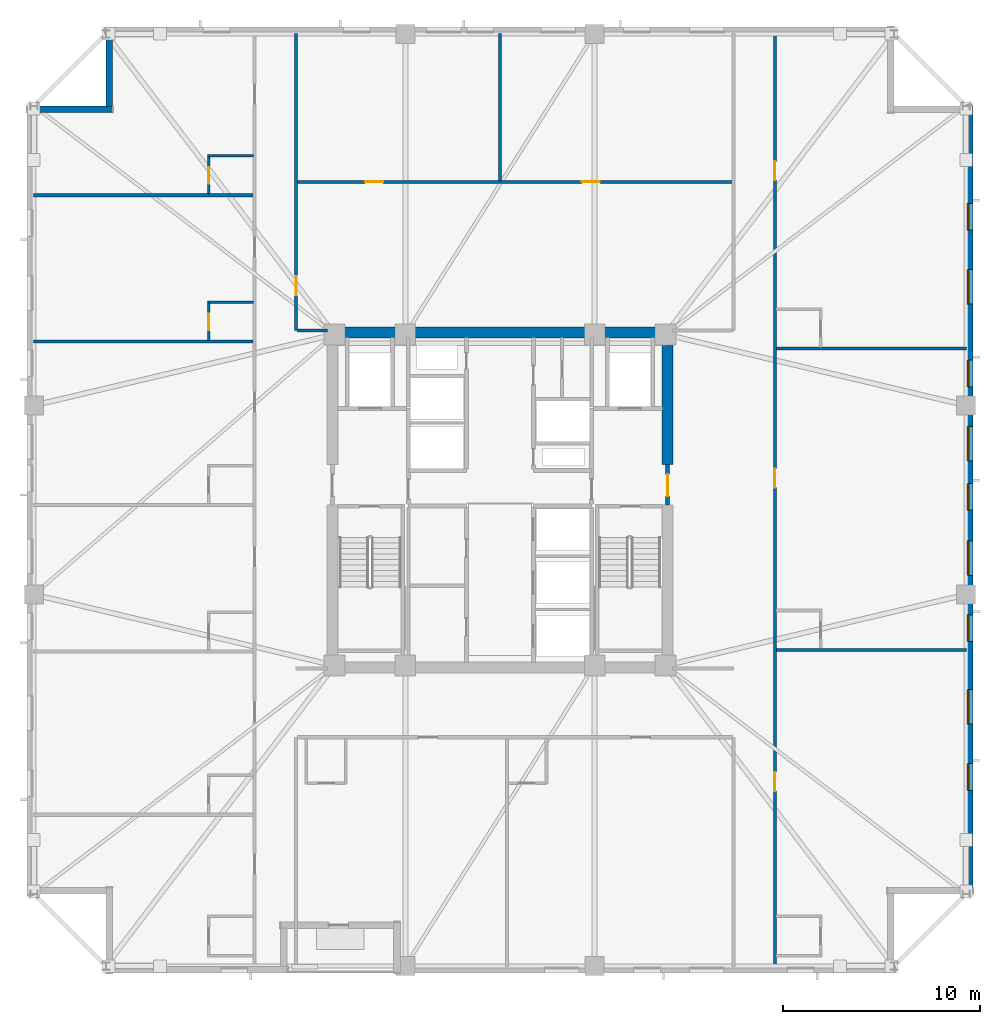
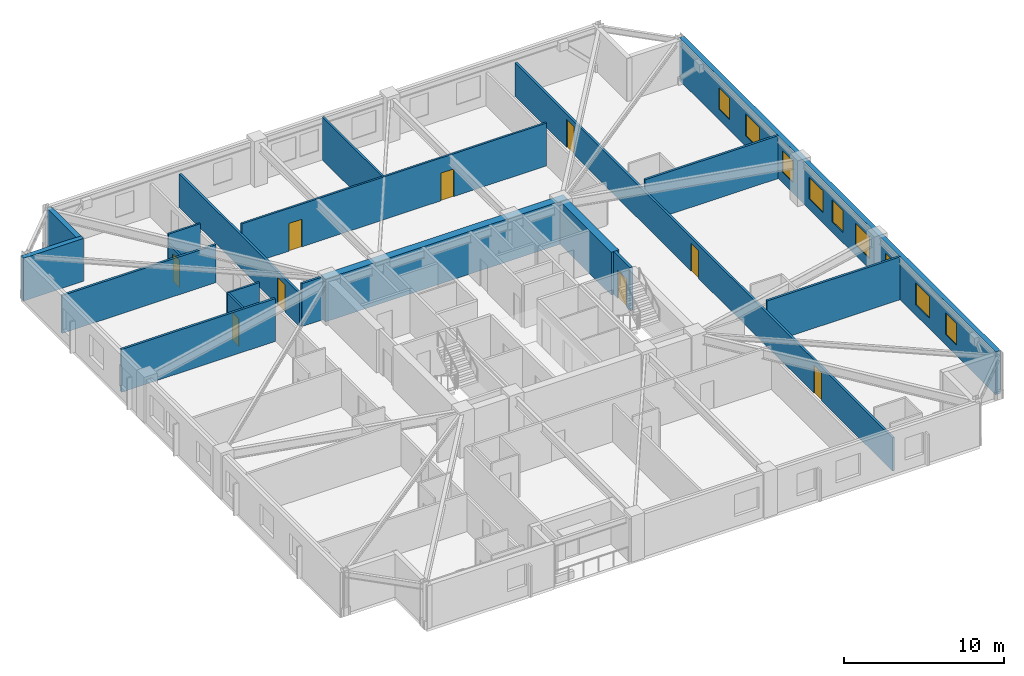
# One storey, part 5 of 11: 19 walls, 9 doors, 9 windows, 18 openings.
"""IFC4 building model written with IfcOpenShell, lengths in metres."""

from ifc_helpers import new_model, si_unit, direction, frame, frame_2d, origin, place, context, subcontext, project, spatial, rectangle, extrude, material, layer, layer_set, type_object, element, fill, save


model = new_model("IFC4")

# Units and contexts
model_context = context("Model", 3, precision=1e-05, world=origin(), true_north=direction((0.0, 1.0)))
body_context = subcontext(model_context, "Body", "Model", "MODEL_VIEW")
ifc_project = project(units=[si_unit("LENGTHUNIT", "METRE"), si_unit("AREAUNIT", "SQUARE_METRE"), si_unit("VOLUMEUNIT", "CUBIC_METRE"), si_unit("PLANEANGLEUNIT", "RADIAN"), si_unit("MASSUNIT", "GRAM", prefix="KILO")], contexts=[model_context])

# Site, building, storey
site_placement = place(None, origin())
site = spatial("IfcSite", under=ifc_project, at=site_placement, CompositionType="ELEMENT")
building_placement = place(site_placement, origin())
building = spatial("IfcBuilding", under=site, at=building_placement, Name="Cairnveth Concourse Tower", CompositionType="ELEMENT")
storey_placement = place(building_placement, frame((0.0, 0.0, 148.0)))
storey = spatial("IfcBuildingStorey", under=building, at=storey_placement, Name="L40", CompositionType="ELEMENT", Elevation=148.0)

# Wall, opening, door
ifc_material_1 = material(Name="Gypsum Plasterboard Partition", Category="gypsum")
ifc_layer_1 = layer(ifc_material_1, 0.159912109375)
ifc_layer_set_1 = layer_set([ifc_layer_1], Name="Gypsum Plasterboard Partition")
wall_type_1 = type_object("IfcWallType", Name="ACOUSTIC PARTY WALL 180", PredefinedType="PARTITIONING", material=ifc_layer_set_1)
wall_1_placement = place(storey_placement, frame((41.64990234375, 47.60009765625, 0.0), z_axis=(0.0, 0.0, 1.0), x_axis=(0.0, 1.0, 0.0)))
wall_1 = element("IfcWall", 1, at=wall_1_placement, inside=storey, type_object=wall_type_1, Name="Interior Wall IW-L40-039", PredefinedType="PARTITIONING", context=body_context, shape_type="SweptSolid", body=[
    extrude(rectangle(XDim=15.074951171875, YDim=0.159912109375, at=frame_2d((7.53759765625, 0.0))), origin(), (0.0, 0.0, 1.0), 2.554931640625),
])
opening_1_placement = place(wall_1_placement, frame((1.800048828125, 0.0, 0.0)))
opening_1 = element("IfcOpeningElement", 2, at=opening_1_placement, cuts=wall_1, Name="Opening ID11", PredefinedType="OPENING", context=body_context, shape_type="SweptSolid", body=[
    extrude(rectangle(XDim=0.9599609375, YDim=2.1201171875, at=frame_2d((0.47998046875, 1.06005859375))), frame((0.0, 0.08984375, 0.0), z_axis=(0.0, -1.0, 0.0), x_axis=(1.0, 0.0, 0.0)), (0.0, 0.0, 1.0), 0.179931640625),
])
ifc_material_2 = material(Name="Solid Core Hardwood Timber Leaf", Category="wood")
door_type_1 = type_object("IfcDoorType", Name="INTERIOR SINGLE DOOR 960X2150", OperationType="NOTDEFINED", PredefinedType="DOOR", material=ifc_material_2)
door_1_placement = place(opening_1_placement, origin())
door_1 = element("IfcDoor", 3, at=door_1_placement, inside=storey, type_object=door_type_1, Name="Interior Door DR-L40-016", OperationType="SINGLE_SWING_RIGHT", OverallHeight=2.1201171875, OverallWidth=0.9599609375, PredefinedType="DOOR", context=body_context, shape_type="SweptSolid", body=[
    extrude(rectangle(XDim=0.9599609375, YDim=2.1201171875, at=frame_2d((0.47998046875, 1.06005859375))), frame((0.0, 0.02490234375, 0.0), z_axis=(0.0, -1.0, 0.0), x_axis=(1.0, 0.0, 0.0)), (0.0, 0.0, 1.0), 0.050048828125),
])
fill(opening_1, door_1)

# Wall
wall_2_placement = place(storey_placement, frame((41.715087890625, 47.60009765625, 0.0), z_axis=(0.0, 0.0, 1.0), x_axis=(1.0, 0.0, 0.0)))
element("IfcWall", 4, at=wall_2_placement, inside=storey, type_object=wall_type_1, Name="Interior Wall IW-L40-041", PredefinedType="PARTITIONING", context=body_context, shape_type="SweptSolid", body=[
    extrude(rectangle(XDim=1.52001953125, YDim=0.159912109375, at=frame_2d((0.760009765625, 0.0))), origin(), (0.0, 0.0, 1.0), 3.280029296875),
])

# Wall, openings, doors
wall_3_placement = place(storey_placement, frame((65.949951171875, 15.324951171875, 0.0), z_axis=(0.0, 0.0, 1.0), x_axis=(0.0, 1.0, 0.0)))
wall_3 = element("IfcWall", 5, at=wall_3_placement, inside=storey, type_object=wall_type_1, Name="Interior Wall IW-L40-042", PredefinedType="PARTITIONING", context=body_context, shape_type="SweptSolid", body=[
    extrude(rectangle(XDim=47.35009765625, YDim=0.159912109375, at=frame_2d((23.675048828125, 0.0))), origin(), (0.0, 0.0, 1.0), 2.554931640625),
])
opening_2_placement = place(wall_3_placement, frame((8.901611328125, 0.0, 0.0)))
opening_2 = element("IfcOpeningElement", 6, at=opening_2_placement, cuts=wall_3, Name="Opening ID09", PredefinedType="OPENING", context=body_context, shape_type="SweptSolid", body=[
    extrude(rectangle(XDim=0.9599609375, YDim=2.14990234375, at=frame_2d((0.47998046875, 1.074951171875))), frame((0.0, 0.08984375, 0.0), z_axis=(0.0, -1.0, 0.0), x_axis=(1.0, 0.0, 0.0)), (0.0, 0.0, 1.0), 0.179931640625),
])
opening_3_placement = place(wall_3_placement, frame((24.30908203125, 0.0, 0.0)))
opening_3 = element("IfcOpeningElement", 7, at=opening_3_placement, cuts=wall_3, Name="Opening ID09", PredefinedType="OPENING", context=body_context, shape_type="SweptSolid", body=[
    extrude(rectangle(XDim=0.9599609375, YDim=2.14990234375, at=frame_2d((0.47998046875, 1.074951171875))), frame((0.0, 0.08984375, 0.0), z_axis=(0.0, -1.0, 0.0), x_axis=(1.0, 0.0, 0.0)), (0.0, 0.0, 1.0), 0.179931640625),
])
opening_4_placement = place(wall_3_placement, frame((39.90234375, 0.0, 0.0)))
opening_4 = element("IfcOpeningElement", 8, at=opening_4_placement, cuts=wall_3, Name="Opening ID09", PredefinedType="OPENING", context=body_context, shape_type="SweptSolid", body=[
    extrude(rectangle(XDim=0.9599609375, YDim=2.14990234375, at=frame_2d((0.47998046875, 1.074951171875))), frame((0.0, 0.08984375, 0.0), z_axis=(0.0, -1.0, 0.0), x_axis=(1.0, 0.0, 0.0)), (0.0, 0.0, 1.0), 0.179931640625),
])
door_type_2 = type_object("IfcDoorType", Name="HOTEL ENTRANCE DOOR 960X2150", OperationType="NOTDEFINED", PredefinedType="DOOR", material=ifc_material_2)
door_2_placement = place(opening_2_placement, origin())
door_2 = element("IfcDoor", 9, at=door_2_placement, inside=storey, type_object=door_type_2, Name="Hotel Room Door L40-E1", OperationType="SINGLE_SWING_RIGHT", OverallHeight=2.14990234375, OverallWidth=0.9599609375, PredefinedType="DOOR", context=body_context, shape_type="SweptSolid", body=[
    extrude(rectangle(XDim=0.9599609375, YDim=2.14990234375, at=frame_2d((0.47998046875, 1.074951171875))), frame((0.0, 0.02490234375, 0.0), z_axis=(0.0, -1.0, 0.0), x_axis=(1.0, 0.0, 0.0)), (0.0, 0.0, 1.0), 0.050048828125),
])
fill(opening_2, door_2)
door_3_placement = place(opening_3_placement, origin())
door_3 = element("IfcDoor", 10, at=door_3_placement, inside=storey, type_object=door_type_2, Name="Hotel Room Door L40-E2", OperationType="SINGLE_SWING_RIGHT", OverallHeight=2.14990234375, OverallWidth=0.9599609375, PredefinedType="DOOR", context=body_context, shape_type="SweptSolid", body=[
    extrude(rectangle(XDim=0.9599609375, YDim=2.14990234375, at=frame_2d((0.47998046875, 1.074951171875))), frame((0.0, 0.02490234375, 0.0), z_axis=(0.0, -1.0, 0.0), x_axis=(1.0, 0.0, 0.0)), (0.0, 0.0, 1.0), 0.050048828125),
])
fill(opening_3, door_3)
door_4_placement = place(opening_4_placement, origin())
door_4 = element("IfcDoor", 11, at=door_4_placement, inside=storey, type_object=door_type_2, Name="Hotel Room Door L40-E3", OperationType="SINGLE_SWING_RIGHT", OverallHeight=2.14990234375, OverallWidth=0.9599609375, PredefinedType="DOOR", context=body_context, shape_type="SweptSolid", body=[
    extrude(rectangle(XDim=0.9599609375, YDim=2.14990234375, at=frame_2d((0.47998046875, 1.074951171875))), frame((0.0, 0.02490234375, 0.0), z_axis=(0.0, -1.0, 0.0), x_axis=(1.0, 0.0, 0.0)), (0.0, 0.0, 1.0), 0.050048828125),
])
fill(opening_4, door_4)

# Walls
wall_4_placement = place(storey_placement, frame((28.324951171875, 47.035400390625, 0.0), z_axis=(0.0, 0.0, 1.0), x_axis=(1.0, 0.0, 0.0)))
element("IfcWall", 12, at=wall_4_placement, inside=storey, type_object=wall_type_1, Name="Interior Wall IW-L40-068", PredefinedType="PARTITIONING", context=body_context, shape_type="SweptSolid", body=[
    extrude(rectangle(XDim=11.14501953125, YDim=0.159912109375, at=frame_2d((5.572509765625, 0.0))), origin(), (0.0, 0.0, 1.0), 3.280029296875),
])
wall_5_placement = place(storey_placement, frame((28.324951171875, 54.466552734375, 0.0), z_axis=(0.0, 0.0, 1.0), x_axis=(1.0, 0.0, 0.0)))
element("IfcWall", 13, at=wall_5_placement, inside=storey, type_object=wall_type_1, Name="Interior Wall IW-L40-071", PredefinedType="PARTITIONING", context=body_context, shape_type="SweptSolid", body=[
    extrude(rectangle(XDim=11.14501953125, YDim=0.159912109375, at=frame_2d((5.572509765625, 0.0))), origin(), (0.0, 0.0, 1.0), 2.89599609375),
])
for number, where, z_axis, x_axis, name in (
    (14, (66.030029296875, 31.3935546875, 0.0), (0.0, 0.0, 1.0), (1.0, 0.0, 0.0), "Interior Wall IW-L40-077"),
    (15, (66.030029296875, 46.6845703125, 0.0), (0.0, 0.0, 1.0), (1.0, 0.0, 0.0), "Interior Wall IW-L40-080"),
):
    element("IfcWall", number, at=place(storey_placement, frame(where, z_axis=z_axis, x_axis=x_axis)), inside=storey, type_object=wall_type_1, Name=name, PredefinedType="PARTITIONING", context=body_context, shape_type="SweptSolid", body=[
        extrude(rectangle(XDim=9.64501953125, YDim=0.159912109375, at=frame_2d((4.822509765625, 0.0))), origin(), (0.0, 0.0, 1.0), 3.280029296875),
    ])
ifc_material_3 = material(Name="Concrete N80 (80 MPa)", Category="concrete")
ifc_layer_2 = layer(ifc_material_3, 0.550048828125)
ifc_layer_set_2 = layer_set([ifc_layer_2], Name="Concrete N80 (80 MPa)")
wall_type_2 = type_object("IfcWallType", Name="CORE SHEAR WALL 550", PredefinedType="SHEAR", material=ifc_layer_set_2)
wall_6_placement = place(storey_placement, frame((43.22509765625, 47.5, 0.0), z_axis=(0.0, 0.0, 1.0), x_axis=(1.0, 0.0, 0.0)))
element("IfcWall", 16, at=wall_6_placement, inside=storey, type_object=wall_type_2, Name="Core North Shear Wall L40", PredefinedType="SHEAR", context=body_context, shape_type="SweptSolid", body=[
    extrude(rectangle(XDim=17.5498046875, YDim=0.550048828125, at=frame_2d((8.77490234375, 0.0))), origin(), (0.0, 0.0, 1.0), 3.280029296875),
])
wall_7_placement = place(storey_placement, frame((60.5, 40.800048828125, 0.0), z_axis=(0.0, 0.0, 1.0), x_axis=(0.0, 1.0, 0.0)))
element("IfcWall", 17, at=wall_7_placement, inside=storey, type_object=wall_type_2, Name="Core East Shear Wall N L40", PredefinedType="SHEAR", context=body_context, shape_type="SweptSolid", body=[
    extrude(rectangle(XDim=6.43505859375, YDim=0.550048828125, at=frame_2d((3.217529296875, 0.0))), origin(), (0.0, 0.0, 1.0), 3.280029296875),
])

# Wall, opening, door
ifc_material_4 = material(Name="Concrete N50 (50 MPa)", Category="concrete")
ifc_layer_3 = layer(ifc_material_4, 0.199951171875)
ifc_layer_set_3 = layer_set([ifc_layer_3], Name="Concrete N50 (50 MPa)")
wall_type_3 = type_object("IfcWallType", Name="FIRE SHAFT WALL 200", PredefinedType="SOLIDWALL", material=ifc_layer_set_3)
wall_8_placement = place(storey_placement, frame((60.5, 38.75, 0.0), z_axis=(0.0, 0.0, 1.0), x_axis=(0.0, 1.0, 0.0)))
wall_8 = element("IfcWall", 18, at=wall_8_placement, inside=storey, type_object=wall_type_3, Name="Interior Wall IW-L40-020", PredefinedType="SOLIDWALL", context=body_context, shape_type="SweptSolid", body=[
    extrude(rectangle(XDim=2.050048828125, YDim=0.199951171875, at=frame_2d((1.02490234375, 0.0))), origin(), (0.0, 0.0, 1.0), 3.280029296875),
])
opening_5_placement = place(wall_8_placement, frame((0.449951171875, 0.0, 0.0)))
opening_5 = element("IfcOpeningElement", 19, at=opening_5_placement, cuts=wall_8, Name="Opening ID06", PredefinedType="OPENING", context=body_context, shape_type="SweptSolid", body=[
    extrude(rectangle(XDim=1.10009765625, YDim=2.14990234375, at=frame_2d((0.550048828125, 1.074951171875))), frame((0.0, 0.10986328125, 0.0), z_axis=(0.0, -1.0, 0.0), x_axis=(1.0, 0.0, 0.0)), (0.0, 0.0, 1.0), 0.219970703125),
])
ifc_material_5 = material(Name="Steel Grade 350", Category="steel")
door_type_3 = type_object("IfcDoorType", Name="FIRE CORRIDOR DOOR 1100X2150", OperationType="NOTDEFINED", PredefinedType="DOOR", material=ifc_material_5)
door_5_placement = place(opening_5_placement, origin())
door_5 = element("IfcDoor", 20, at=door_5_placement, inside=storey, type_object=door_type_3, Name="East Wing to FF Lobby Door L40", OperationType="SINGLE_SWING_RIGHT", OverallHeight=2.14990234375, OverallWidth=1.10009765625, PredefinedType="DOOR", context=body_context, shape_type="SweptSolid", body=[
    extrude(rectangle(XDim=1.10009765625, YDim=2.14990234375, at=frame_2d((0.550048828125, 1.074951171875))), frame((0.0, 0.02490234375, 0.0), z_axis=(0.0, -1.0, 0.0), x_axis=(1.0, 0.0, 0.0)), (0.0, 0.0, 1.0), 0.050048828125),
])
fill(opening_5, door_5)

# Wall, openings, doors
ifc_layer_4 = layer(ifc_material_1, 0.139892578125)
ifc_layer_set_4 = layer_set([ifc_layer_4], Name="Gypsum Plasterboard Partition")
wall_type_4 = type_object("IfcWallType", Name="GYPSUM STUD PARTITION 140", PredefinedType="PARTITIONING", material=ifc_layer_set_4)
wall_9_placement = place(storey_placement, frame((41.715087890625, 55.139892578125, 0.0), z_axis=(0.0, 0.0, 1.0), x_axis=(1.0, 0.0, 0.0)))
wall_9 = element("IfcWall", 21, at=wall_9_placement, inside=storey, type_object=wall_type_4, Name="Interior Wall IW-L40-048", PredefinedType="PARTITIONING", context=body_context, shape_type="SweptSolid", body=[
    extrude(rectangle(XDim=22.06982421875, YDim=0.139892578125, at=frame_2d((11.034912109375, 0.0))), origin(), (0.0, 0.0, 1.0), 3.280029296875),
])
opening_6_placement = place(wall_9_placement, frame((3.43505859375, 0.0, 0.0)))
opening_6 = element("IfcOpeningElement", 22, at=opening_6_placement, cuts=wall_9, Name="Opening ID15", PredefinedType="OPENING", context=body_context, shape_type="SweptSolid", body=[
    extrude(rectangle(XDim=0.919921875, YDim=2.1201171875, at=frame_2d((0.4599609375, 1.06005859375))), frame((0.0, 0.079833984375, 0.0), z_axis=(0.0, -1.0, 0.0), x_axis=(1.0, 0.0, 0.0)), (0.0, 0.0, 1.0), 0.159912109375),
])
opening_7_placement = place(wall_9_placement, frame((14.43505859375, 0.0, 0.0)))
opening_7 = element("IfcOpeningElement", 23, at=opening_7_placement, cuts=wall_9, Name="Opening ID15", PredefinedType="OPENING", context=body_context, shape_type="SweptSolid", body=[
    extrude(rectangle(XDim=0.919921875, YDim=2.1201171875, at=frame_2d((0.4599609375, 1.06005859375))), frame((0.0, 0.079833984375, 0.0), z_axis=(0.0, -1.0, 0.0), x_axis=(1.0, 0.0, 0.0)), (0.0, 0.0, 1.0), 0.159912109375),
])
door_type_4 = type_object("IfcDoorType", Name="INTERIOR SINGLE DOOR 920X2100", OperationType="NOTDEFINED", PredefinedType="DOOR", material=ifc_material_2)
door_6_placement = place(opening_6_placement, origin())
door_6 = element("IfcDoor", 24, at=door_6_placement, inside=storey, type_object=door_type_4, Name="Interior Door DR-L40-017", OperationType="SINGLE_SWING_LEFT", OverallHeight=2.1201171875, OverallWidth=0.919921875, PredefinedType="DOOR", context=body_context, shape_type="SweptSolid", body=[
    extrude(rectangle(XDim=0.919921875, YDim=2.1201171875, at=frame_2d((0.4599609375, 1.06005859375))), frame((0.0, 0.02490234375, 0.0), z_axis=(0.0, -1.0, 0.0), x_axis=(1.0, 0.0, 0.0)), (0.0, 0.0, 1.0), 0.050048828125),
])
fill(opening_6, door_6)
door_7_placement = place(opening_7_placement, origin())
door_7 = element("IfcDoor", 25, at=door_7_placement, inside=storey, type_object=door_type_4, Name="Interior Door DR-L40-018", OperationType="SINGLE_SWING_RIGHT", OverallHeight=2.1201171875, OverallWidth=0.919921875, PredefinedType="DOOR", context=body_context, shape_type="SweptSolid", body=[
    extrude(rectangle(XDim=0.919921875, YDim=2.1201171875, at=frame_2d((0.4599609375, 1.06005859375))), frame((0.0, 0.02490234375, 0.0), z_axis=(0.0, -1.0, 0.0), x_axis=(1.0, 0.0, 0.0)), (0.0, 0.0, 1.0), 0.050048828125),
])
fill(opening_7, door_7)

# Walls
wall_10_placement = place(storey_placement, frame((52.0, 55.195068359375, 0.0), z_axis=(0.0, 0.0, 1.0), x_axis=(0.0, 1.0, 0.0)))
element("IfcWall", 26, at=wall_10_placement, inside=storey, type_object=wall_type_4, Name="Interior Wall IW-L40-049", PredefinedType="PARTITIONING", context=body_context, shape_type="SweptSolid", body=[
    extrude(rectangle(XDim=7.47998046875, YDim=0.139892578125, at=frame_2d((3.739990234375, 0.0))), origin(), (0.0, 0.0, 1.0), 3.280029296875),
])
ifc_layer_5 = layer(ifc_material_1, 0.1298828125)
ifc_layer_set_5 = layer_set([ifc_layer_5], Name="Gypsum Plasterboard Partition")
wall_type_5 = type_object("IfcWallType", Name="WET AREA PARTITION 140", PredefinedType="PLUMBINGWALL", material=ifc_layer_set_5)
wall_11_placement = place(storey_placement, frame((37.169921875, 49.035400390625, 0.0), z_axis=(0.0, 0.0, 1.0), x_axis=(1.0, 0.0, 0.0)))
element("IfcWall", 27, at=wall_11_placement, inside=storey, type_object=wall_type_5, Name="Interior Wall IW-L40-069", PredefinedType="PLUMBINGWALL", context=body_context, shape_type="SweptSolid", body=[
    extrude(rectangle(XDim=2.315185546875, YDim=0.1298828125, at=frame_2d((1.15771484375, 0.0))), origin(), (0.0, 0.0, 1.0), 3.280029296875),
])

# Wall, opening, door
wall_12_placement = place(storey_placement, frame((37.219970703125, 47.1005859375, 0.0), z_axis=(0.0, 0.0, 1.0), x_axis=(0.0, 1.0, 0.0)))
wall_12 = element("IfcWall", 28, at=wall_12_placement, inside=storey, type_object=wall_type_5, Name="Interior Wall IW-L40-070", PredefinedType="PLUMBINGWALL", context=body_context, shape_type="SweptSolid", body=[
    extrude(rectangle(XDim=1.885009765625, YDim=0.1298828125, at=frame_2d((0.9423828125, 0.0))), origin(), (0.0, 0.0, 1.0), 3.280029296875),
])
opening_8_placement = place(wall_12_placement, frame((0.52490234375, 0.0, 0.0)))
opening_8 = element("IfcOpeningElement", 29, at=opening_8_placement, cuts=wall_12, Name="Opening ID22", PredefinedType="OPENING", context=body_context, shape_type="SweptSolid", body=[
    extrude(rectangle(XDim=0.820068359375, YDim=2.10009765625, at=frame_2d((0.41015625, 1.050048828125))), frame((0.0, 0.074951171875, 0.0), z_axis=(0.0, -1.0, 0.0), x_axis=(1.0, 0.0, 0.0)), (0.0, 0.0, 1.0), 0.14990234375),
])
door_type_5 = type_object("IfcDoorType", Name="INTERIOR WC DOOR 820X2100", OperationType="NOTDEFINED", PredefinedType="DOOR", material=ifc_material_2)
door_8_placement = place(opening_8_placement, origin())
door_8 = element("IfcDoor", 30, at=door_8_placement, inside=storey, type_object=door_type_5, Name="En-Suite Door L40-W5", OperationType="SINGLE_SWING_LEFT", OverallHeight=2.10009765625, OverallWidth=0.820068359375, PredefinedType="DOOR", context=body_context, shape_type="SweptSolid", body=[
    extrude(rectangle(XDim=0.820068359375, YDim=2.10009765625, at=frame_2d((0.41015625, 1.050048828125))), frame((0.0, 0.02490234375, 0.0), z_axis=(0.0, -1.0, 0.0), x_axis=(1.0, 0.0, 0.0)), (0.0, 0.0, 1.0), 0.050048828125),
])
fill(opening_8, door_8)

# Wall
wall_13_placement = place(storey_placement, frame((37.169921875, 56.466552734375, 0.0), z_axis=(0.0, 0.0, 1.0), x_axis=(1.0, 0.0, 0.0)))
element("IfcWall", 31, at=wall_13_placement, inside=storey, type_object=wall_type_5, Name="Interior Wall IW-L40-072", PredefinedType="PLUMBINGWALL", context=body_context, shape_type="SweptSolid", body=[
    extrude(rectangle(XDim=2.315185546875, YDim=0.1298828125, at=frame_2d((1.15771484375, 0.0))), origin(), (0.0, 0.0, 1.0), 3.280029296875),
])

# Wall, opening, door
wall_14_placement = place(storey_placement, frame((37.219970703125, 54.531494140625, 0.0), z_axis=(0.0, 0.0, 1.0), x_axis=(0.0, 1.0, 0.0)))
wall_14 = element("IfcWall", 32, at=wall_14_placement, inside=storey, type_object=wall_type_5, Name="Interior Wall IW-L40-073", PredefinedType="PLUMBINGWALL", context=body_context, shape_type="SweptSolid", body=[
    extrude(rectangle(XDim=1.885009765625, YDim=0.1298828125, at=frame_2d((0.9423828125, 0.0))), origin(), (0.0, 0.0, 1.0), 2.554931640625),
])
opening_9_placement = place(wall_14_placement, frame((0.52490234375, 0.0, 0.0)))
opening_9 = element("IfcOpeningElement", 33, at=opening_9_placement, cuts=wall_14, Name="Opening ID22", PredefinedType="OPENING", context=body_context, shape_type="SweptSolid", body=[
    extrude(rectangle(XDim=0.820068359375, YDim=2.10009765625, at=frame_2d((0.41015625, 1.050048828125))), frame((0.0, 0.074951171875, 0.0), z_axis=(0.0, -1.0, 0.0), x_axis=(1.0, 0.0, 0.0)), (0.0, 0.0, 1.0), 0.14990234375),
])
door_9_placement = place(opening_9_placement, origin())
door_9 = element("IfcDoor", 34, at=door_9_placement, inside=storey, type_object=door_type_5, Name="En-Suite Door L40-W6", OperationType="SINGLE_SWING_LEFT", OverallHeight=2.10009765625, OverallWidth=0.820068359375, PredefinedType="DOOR", context=body_context, shape_type="SweptSolid", body=[
    extrude(rectangle(XDim=0.820068359375, YDim=2.10009765625, at=frame_2d((0.41015625, 1.050048828125))), frame((0.0, 0.02490234375, 0.0), z_axis=(0.0, -1.0, 0.0), x_axis=(1.0, 0.0, 0.0)), (0.0, 0.0, 1.0), 0.050048828125),
])
fill(opening_9, door_9)

# Walls
ifc_material_6 = material(Name="Hawthorn Red-Ochre Fired Clay Brick Masonry", Category="masonry")
ifc_layer_6 = layer(ifc_material_6, 0.340087890625)
ifc_layer_set_6 = layer_set([ifc_layer_6], Name="Hawthorn Red-Ochre Fired Clay Brick Masonry")
wall_type_6 = type_object("IfcWallType", Name="ZONE 2 BRICK PIER SPANDREL WALL 340", PredefinedType="SOLIDWALL", material=ifc_layer_set_6)
wall_15_placement = place(storey_placement, frame((28.0, 58.830078125, 0.0), z_axis=(0.0, 0.0, 1.0), x_axis=(1.0, 0.0, 0.0)))
element("IfcWall", 35, at=wall_15_placement, inside=storey, type_object=wall_type_6, Name="Exterior Wall EW-L40-S04", PredefinedType="SOLIDWALL", context=body_context, shape_type="SweptSolid", body=[
    extrude(rectangle(XDim=4.340087890625, YDim=0.340087890625, at=frame_2d((2.169921875, 0.0))), origin(), (0.0, 0.0, 1.0), 3.280029296875),
])
wall_16_placement = place(storey_placement, frame((32.169921875, 58.97802734375, 0.0), z_axis=(0.0, 0.0, 1.0), x_axis=(0.0, 1.0, 0.0)))
element("IfcWall", 36, at=wall_16_placement, inside=storey, type_object=wall_type_6, Name="Exterior Wall EW-L40-S05", PredefinedType="SOLIDWALL", context=body_context, shape_type="SweptSolid", body=[
    extrude(rectangle(XDim=3.703857421875, YDim=0.340087890625, at=frame_2d((1.85205078125, 0.0))), origin(), (0.0, 0.0, 1.0), 3.280029296875),
])

# Wall, openings, windows
wall_17_placement = place(storey_placement, frame((75.830078125, 59.0, 0.0), z_axis=(0.0, 0.0, 1.0), x_axis=(0.0, -1.0, 0.0)))
wall_17 = element("IfcWall", 37, at=wall_17_placement, inside=storey, type_object=wall_type_6, Name="Exterior Wall EW-L40-S09", PredefinedType="SOLIDWALL", context=body_context, shape_type="SweptSolid", body=[
    extrude(rectangle(XDim=39.681884765625, YDim=0.340087890625, at=frame_2d((19.8408203125, 0.0))), origin(), (0.0, 0.0, 1.0), 3.280029296875),
])
opening_10_placement = place(wall_17_placement, frame((4.951904296875, 0.0, 0.800048828125)))
opening_10 = element("IfcOpeningElement", 38, at=opening_10_placement, cuts=wall_17, Name="Opening W02", PredefinedType="OPENING", context=body_context, shape_type="SweptSolid", body=[
    extrude(rectangle(XDim=1.35009765625, YDim=1.659912109375, at=frame_2d((0.675048828125, 0.830078125))), frame((0.0, 0.179931640625, 0.0), z_axis=(0.0, -1.0, 0.0), x_axis=(1.0, 0.0, 0.0)), (0.0, 0.0, 1.0), 0.360107421875),
])
opening_11_placement = place(wall_17_placement, frame((8.305419921875, 0.0, 0.800048828125)))
opening_11 = element("IfcOpeningElement", 39, at=opening_11_placement, cuts=wall_17, Name="Opening W06", PredefinedType="OPENING", context=body_context, shape_type="SweptSolid", body=[
    extrude(rectangle(XDim=1.75, YDim=1.659912109375, at=frame_2d((0.875, 0.830078125))), frame((0.0, 0.179931640625, 0.0), z_axis=(0.0, -1.0, 0.0), x_axis=(1.0, 0.0, 0.0)), (0.0, 0.0, 1.0), 0.360107421875),
])
opening_12_placement = place(wall_17_placement, frame((12.908935546875, 0.0, 0.800048828125)))
opening_12 = element("IfcOpeningElement", 40, at=opening_12_placement, cuts=wall_17, Name="Opening W02", PredefinedType="OPENING", context=body_context, shape_type="SweptSolid", body=[
    extrude(rectangle(XDim=1.35009765625, YDim=1.659912109375, at=frame_2d((0.675048828125, 0.830078125))), frame((0.0, 0.179931640625, 0.0), z_axis=(0.0, -1.0, 0.0), x_axis=(1.0, 0.0, 0.0)), (0.0, 0.0, 1.0), 0.360107421875),
])
opening_13_placement = place(wall_17_placement, frame((16.262451171875, 0.0, 0.800048828125)))
opening_13 = element("IfcOpeningElement", 41, at=opening_13_placement, cuts=wall_17, Name="Opening W06", PredefinedType="OPENING", context=body_context, shape_type="SweptSolid", body=[
    extrude(rectangle(XDim=1.75, YDim=1.659912109375, at=frame_2d((0.875, 0.830078125))), frame((0.0, 0.179931640625, 0.0), z_axis=(0.0, -1.0, 0.0), x_axis=(1.0, 0.0, 0.0)), (0.0, 0.0, 1.0), 0.360107421875),
])
opening_14_placement = place(wall_17_placement, frame((19.166015625, 0.0, 0.800048828125)))
opening_14 = element("IfcOpeningElement", 42, at=opening_14_placement, cuts=wall_17, Name="Opening W02", PredefinedType="OPENING", context=body_context, shape_type="SweptSolid", body=[
    extrude(rectangle(XDim=1.35009765625, YDim=1.659912109375, at=frame_2d((0.675048828125, 0.830078125))), frame((0.0, 0.179931640625, 0.0), z_axis=(0.0, -1.0, 0.0), x_axis=(1.0, 0.0, 0.0)), (0.0, 0.0, 1.0), 0.360107421875),
])
opening_15_placement = place(wall_17_placement, frame((22.069580078125, 0.0, 0.800048828125)))
opening_15 = element("IfcOpeningElement", 43, at=opening_15_placement, cuts=wall_17, Name="Opening W06", PredefinedType="OPENING", context=body_context, shape_type="SweptSolid", body=[
    extrude(rectangle(XDim=1.75, YDim=1.659912109375, at=frame_2d((0.875, 0.830078125))), frame((0.0, 0.179931640625, 0.0), z_axis=(0.0, -1.0, 0.0), x_axis=(1.0, 0.0, 0.0)), (0.0, 0.0, 1.0), 0.360107421875),
])
opening_16_placement = place(wall_17_placement, frame((25.822998046875, 0.0, 0.800048828125)))
opening_16 = element("IfcOpeningElement", 44, at=opening_16_placement, cuts=wall_17, Name="Opening W02", PredefinedType="OPENING", context=body_context, shape_type="SweptSolid", body=[
    extrude(rectangle(XDim=1.35009765625, YDim=1.659912109375, at=frame_2d((0.675048828125, 0.830078125))), frame((0.0, 0.179931640625, 0.0), z_axis=(0.0, -1.0, 0.0), x_axis=(1.0, 0.0, 0.0)), (0.0, 0.0, 1.0), 0.360107421875),
])
opening_17_placement = place(wall_17_placement, frame((29.626708984375, 0.0, 0.800048828125)))
opening_17 = element("IfcOpeningElement", 45, at=opening_17_placement, cuts=wall_17, Name="Opening W06", PredefinedType="OPENING", context=body_context, shape_type="SweptSolid", body=[
    extrude(rectangle(XDim=1.75, YDim=1.659912109375, at=frame_2d((0.875, 0.830078125))), frame((0.0, 0.179931640625, 0.0), z_axis=(0.0, -1.0, 0.0), x_axis=(1.0, 0.0, 0.0)), (0.0, 0.0, 1.0), 0.360107421875),
])
opening_18_placement = place(wall_17_placement, frame((33.380126953125, 0.0, 0.800048828125)))
opening_18 = element("IfcOpeningElement", 46, at=opening_18_placement, cuts=wall_17, Name="Opening W02", PredefinedType="OPENING", context=body_context, shape_type="SweptSolid", body=[
    extrude(rectangle(XDim=1.35009765625, YDim=1.659912109375, at=frame_2d((0.675048828125, 0.830078125))), frame((0.0, 0.179931640625, 0.0), z_axis=(0.0, -1.0, 0.0), x_axis=(1.0, 0.0, 0.0)), (0.0, 0.0, 1.0), 0.360107421875),
])
ifc_material_7 = material(Name="Double Glazed Low-E Clear Glass", Category="glass")
window_type_1 = type_object("IfcWindowType", Name="DEEP-SET GOTHIC LANCET WINDOW 1350X1800", PartitioningType="DOUBLE_PANEL_VERTICAL", PredefinedType="WINDOW", material=ifc_material_7)
window_1_placement = place(opening_10_placement, origin())
window_1 = element("IfcWindow", 47, at=window_1_placement, inside=storey, type_object=window_type_1, Name="Gothic Lancet Window L40-9-1", OverallHeight=1.659912109375, OverallWidth=1.35009765625, PartitioningType="SINGLE_PANEL", PredefinedType="WINDOW", context=body_context, shape_type="SweptSolid", body=[
    extrude(rectangle(XDim=1.35009765625, YDim=1.659912109375, at=frame_2d((0.675048828125, 0.830078125))), frame((0.0, -0.050048828125, 0.0), z_axis=(0.0, -1.0, 0.0), x_axis=(1.0, 0.0, 0.0)), (0.0, 0.0, 1.0), 0.06005859375),
])
fill(opening_10, window_1)
window_2_placement = place(opening_12_placement, origin())
window_2 = element("IfcWindow", 48, at=window_2_placement, inside=storey, type_object=window_type_1, Name="Gothic Lancet Window L40-9-3", OverallHeight=1.659912109375, OverallWidth=1.35009765625, PartitioningType="SINGLE_PANEL", PredefinedType="WINDOW", context=body_context, shape_type="SweptSolid", body=[
    extrude(rectangle(XDim=1.35009765625, YDim=1.659912109375, at=frame_2d((0.675048828125, 0.830078125))), frame((0.0, -0.050048828125, 0.0), z_axis=(0.0, -1.0, 0.0), x_axis=(1.0, 0.0, 0.0)), (0.0, 0.0, 1.0), 0.06005859375),
])
fill(opening_12, window_2)
window_3_placement = place(opening_14_placement, origin())
window_3 = element("IfcWindow", 49, at=window_3_placement, inside=storey, type_object=window_type_1, Name="Gothic Lancet Window L40-9-5", OverallHeight=1.659912109375, OverallWidth=1.35009765625, PartitioningType="SINGLE_PANEL", PredefinedType="WINDOW", context=body_context, shape_type="SweptSolid", body=[
    extrude(rectangle(XDim=1.35009765625, YDim=1.659912109375, at=frame_2d((0.675048828125, 0.830078125))), frame((0.0, -0.050048828125, 0.0), z_axis=(0.0, -1.0, 0.0), x_axis=(1.0, 0.0, 0.0)), (0.0, 0.0, 1.0), 0.06005859375),
])
fill(opening_14, window_3)
window_4_placement = place(opening_16_placement, origin())
window_4 = element("IfcWindow", 50, at=window_4_placement, inside=storey, type_object=window_type_1, Name="Gothic Lancet Window L40-9-7", OverallHeight=1.659912109375, OverallWidth=1.35009765625, PartitioningType="SINGLE_PANEL", PredefinedType="WINDOW", context=body_context, shape_type="SweptSolid", body=[
    extrude(rectangle(XDim=1.35009765625, YDim=1.659912109375, at=frame_2d((0.675048828125, 0.830078125))), frame((0.0, -0.050048828125, 0.0), z_axis=(0.0, -1.0, 0.0), x_axis=(1.0, 0.0, 0.0)), (0.0, 0.0, 1.0), 0.06005859375),
])
fill(opening_16, window_4)
window_5_placement = place(opening_18_placement, origin())
window_5 = element("IfcWindow", 51, at=window_5_placement, inside=storey, type_object=window_type_1, Name="Gothic Lancet Window L40-9-9", OverallHeight=1.659912109375, OverallWidth=1.35009765625, PartitioningType="SINGLE_PANEL", PredefinedType="WINDOW", context=body_context, shape_type="SweptSolid", body=[
    extrude(rectangle(XDim=1.35009765625, YDim=1.659912109375, at=frame_2d((0.675048828125, 0.830078125))), frame((0.0, -0.050048828125, 0.0), z_axis=(0.0, -1.0, 0.0), x_axis=(1.0, 0.0, 0.0)), (0.0, 0.0, 1.0), 0.06005859375),
])
fill(opening_18, window_5)
window_type_2 = type_object("IfcWindowType", Name="DEEP-SET HOTEL SUITE WINDOW 1750X1800", PartitioningType="DOUBLE_PANEL_VERTICAL", PredefinedType="WINDOW", material=ifc_material_7)
window_6_placement = place(opening_11_placement, origin())
window_6 = element("IfcWindow", 52, at=window_6_placement, inside=storey, type_object=window_type_2, Name="Gothic Lancet Window L40-9-2", OverallHeight=1.659912109375, OverallWidth=1.75, PartitioningType="SINGLE_PANEL", PredefinedType="WINDOW", context=body_context, shape_type="SweptSolid", body=[
    extrude(rectangle(XDim=1.75, YDim=1.659912109375, at=frame_2d((0.875, 0.830078125))), frame((0.0, -0.050048828125, 0.0), z_axis=(0.0, -1.0, 0.0), x_axis=(1.0, 0.0, 0.0)), (0.0, 0.0, 1.0), 0.06005859375),
])
fill(opening_11, window_6)
window_7_placement = place(opening_13_placement, origin())
window_7 = element("IfcWindow", 53, at=window_7_placement, inside=storey, type_object=window_type_2, Name="Gothic Lancet Window L40-9-4", OverallHeight=1.659912109375, OverallWidth=1.75, PartitioningType="SINGLE_PANEL", PredefinedType="WINDOW", context=body_context, shape_type="SweptSolid", body=[
    extrude(rectangle(XDim=1.75, YDim=1.659912109375, at=frame_2d((0.875, 0.830078125))), frame((0.0, -0.050048828125, 0.0), z_axis=(0.0, -1.0, 0.0), x_axis=(1.0, 0.0, 0.0)), (0.0, 0.0, 1.0), 0.06005859375),
])
fill(opening_13, window_7)
window_8_placement = place(opening_15_placement, origin())
window_8 = element("IfcWindow", 54, at=window_8_placement, inside=storey, type_object=window_type_2, Name="Gothic Lancet Window L40-9-6", OverallHeight=1.659912109375, OverallWidth=1.75, PartitioningType="SINGLE_PANEL", PredefinedType="WINDOW", context=body_context, shape_type="SweptSolid", body=[
    extrude(rectangle(XDim=1.75, YDim=1.659912109375, at=frame_2d((0.875, 0.830078125))), frame((0.0, -0.050048828125, 0.0), z_axis=(0.0, -1.0, 0.0), x_axis=(1.0, 0.0, 0.0)), (0.0, 0.0, 1.0), 0.06005859375),
])
fill(opening_15, window_8)
window_9_placement = place(opening_17_placement, origin())
window_9 = element("IfcWindow", 55, at=window_9_placement, inside=storey, type_object=window_type_2, Name="Gothic Lancet Window L40-9-8", OverallHeight=1.659912109375, OverallWidth=1.75, PartitioningType="SINGLE_PANEL", PredefinedType="WINDOW", context=body_context, shape_type="SweptSolid", body=[
    extrude(rectangle(XDim=1.75, YDim=1.659912109375, at=frame_2d((0.875, 0.830078125))), frame((0.0, -0.050048828125, 0.0), z_axis=(0.0, -1.0, 0.0), x_axis=(1.0, 0.0, 0.0)), (0.0, 0.0, 1.0), 0.06005859375),
])
fill(opening_17, window_9)

save(model, "model.ifc")
